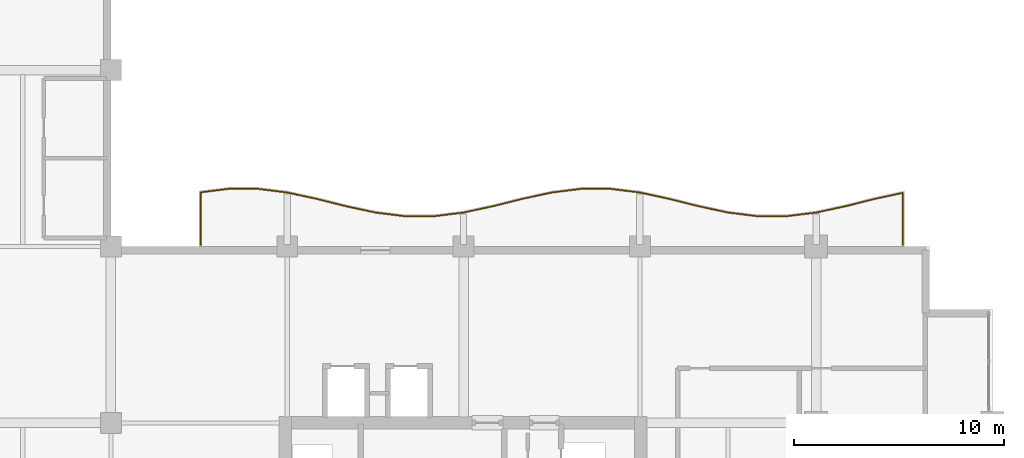
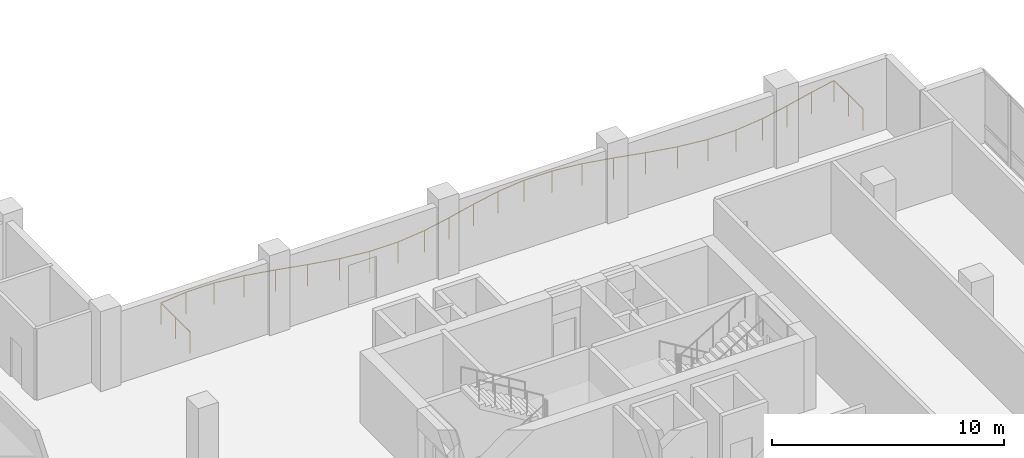
# One storey, part 21 of 21: 1 railing.
"""IFC4 building model written with IfcOpenShell, lengths in metres."""

from ifc_helpers import new_model, si_unit, direction, frame, origin, origin_2d, place, context, subcontext, project, spatial, circle, extrude, material, type_object, element, save


model = new_model("IFC4")

# Units and contexts
model_context = context("Model", 3, precision=1e-05, world=origin(), true_north=direction((0.0, 1.0)))
body_context = subcontext(model_context, "Body", "Model", "MODEL_VIEW")
ifc_project = project(units=[si_unit("LENGTHUNIT", "METRE"), si_unit("AREAUNIT", "SQUARE_METRE"), si_unit("VOLUMEUNIT", "CUBIC_METRE"), si_unit("PLANEANGLEUNIT", "RADIAN"), si_unit("MASSUNIT", "GRAM", prefix="KILO")], contexts=[model_context])

# Site, building, storey
site_placement = place(None, origin())
site = spatial("IfcSite", under=ifc_project, at=site_placement, CompositionType="ELEMENT")
building_placement = place(site_placement, origin())
building = spatial("IfcBuilding", under=site, at=building_placement, Name="Koriwani Terraces Tower", CompositionType="ELEMENT")
storey_placement = place(building_placement, frame((0.0, 0.0, 224.0)))
storey = spatial("IfcBuildingStorey", under=building, at=storey_placement, Name="L55", CompositionType="ELEMENT", Elevation=224.0)

# Railing
ifc_material = material(Name="Steel ASTM A572 Grade 50", Category="steel")
railing_type = type_object("IfcRailingType", Name="GUARD_BALUSTRADE_1150", PredefinedType="BALUSTRADE", material=ifc_material)
railing_placement = place(storey_placement, frame((71.320068359375, 33.679931640625, 0.0)))
element("IfcRailing", 1, at=railing_placement, inside=storey, type_object=railing_type, Name="L55 Balcony Perimeter Safety Balustrade (NE)", PredefinedType="BALUSTRADE", context=body_context, shape_type="SweptSolid", body=[
    extrude(circle(Radius=0.02392578125, at=origin_2d()), frame((0.0, 0.0, 1.1259765625), z_axis=(0.0, 1.0, 0.0), x_axis=(-1.0, 0.0, 0.0)), (0.0, 0.0, 1.0), 2.473388671875),
    extrude(circle(Radius=0.02392578125, at=origin_2d()), frame((0.0, 2.473388671875, 1.1259765625), z_axis=(-0.977417234878, -0.211318595877, 0.0), x_axis=(0.211318595877, -0.977417234878, 0.0)), (0.0, 0.0, 1.0), 1.33203125),
    extrude(circle(Radius=0.02392578125, at=origin_2d()), frame((-1.302001953125, 2.19189453125, 1.1259765625), z_axis=(-0.970241952903, -0.242137466795, 0.0), x_axis=(0.242137466795, -0.970241952903, 0.0)), (0.0, 0.0, 1.0), 1.44287109375),
    extrude(circle(Radius=0.02392578125, at=origin_2d()), frame((-2.701904296875, 1.842529296875, 1.1259765625), z_axis=(-0.977453031353, -0.21115295759, 0.0), x_axis=(0.21115295759, -0.977453031353, 0.0)), (0.0, 0.0, 1.0), 1.437255859375),
    extrude(circle(Radius=0.02392578125, at=origin_2d()), frame((-4.106689453125, 1.5390625, 1.1259765625), z_axis=(-0.992301674614, -0.12384420276, 0.0), x_axis=(0.12384420276, -0.992301674614, 0.0)), (0.0, 0.0, 1.0), 1.41943359375),
    extrude(circle(Radius=0.02392578125, at=origin_2d()), frame((-5.51513671875, 1.36328125, 1.1259765625), z_axis=(-1.0, 0.0, 0.0), x_axis=(0.0, -1.0, 0.0)), (0.0, 0.0, 1.0), 1.409912109375),
    extrude(circle(Radius=0.02392578125, at=origin_2d()), frame((-6.925048828125, 1.36328125, 1.1259765625), z_axis=(-0.992301674614, 0.12384420276, 0.0), x_axis=(-0.12384420276, -0.992301674614, 0.0)), (0.0, 0.0, 1.0), 1.41943359375),
    extrude(circle(Radius=0.02392578125, at=origin_2d()), frame((-8.33349609375, 1.5390625, 1.1259765625), z_axis=(-0.977453031353, 0.21115295759, 0.0), x_axis=(-0.21115295759, -0.977453031353, 0.0)), (0.0, 0.0, 1.0), 1.437255859375),
    extrude(circle(Radius=0.02392578125, at=origin_2d()), frame((-9.73828125, 1.842529296875, 1.1259765625), z_axis=(-0.970241952903, 0.242137466795, 0.0), x_axis=(-0.242137466795, -0.970241952903, 0.0)), (0.0, 0.0, 1.0), 1.44287109375),
    extrude(circle(Radius=0.02392578125, at=origin_2d()), frame((-11.13818359375, 2.19189453125, 1.1259765625), z_axis=(-0.977438029446, 0.211222391315, 0.0), x_axis=(-0.211222391315, -0.977438029446, 0.0)), (0.0, 0.0, 1.0), 1.427490234375),
    extrude(circle(Radius=0.02392578125, at=origin_2d()), frame((-12.533447265625, 2.493408203125, 1.1259765625), z_axis=(-0.992309982997, 0.123777613669, 0.0), x_axis=(-0.123777613669, -0.992309982997, 0.0)), (0.0, 0.0, 1.0), 1.40234375),
    extrude(circle(Radius=0.02392578125, at=origin_2d()), frame((-13.925048828125, 2.6669921875, 1.1259765625), z_axis=(-1.0, 0.0, 0.0), x_axis=(0.0, -1.0, 0.0)), (0.0, 0.0, 1.0), 1.39013671875),
    extrude(circle(Radius=0.02392578125, at=origin_2d()), frame((-15.315185546875, 2.6669921875, 1.1259765625), z_axis=(-0.992309982997, -0.123777613669, 0.0), x_axis=(0.123777613669, -0.992309982997, 0.0)), (0.0, 0.0, 1.0), 1.40234375),
    extrude(circle(Radius=0.02392578125, at=origin_2d()), frame((-16.706787109375, 2.493408203125, 1.1259765625), z_axis=(-0.977438029446, -0.211222391315, 0.0), x_axis=(0.211222391315, -0.977438029446, 0.0)), (0.0, 0.0, 1.0), 1.427490234375),
    extrude(circle(Radius=0.02392578125, at=origin_2d()), frame((-18.10205078125, 2.19189453125, 1.1259765625), z_axis=(-0.970241952903, -0.242137466795, 0.0), x_axis=(0.242137466795, -0.970241952903, 0.0)), (0.0, 0.0, 1.0), 1.44287109375),
    extrude(circle(Radius=0.02392578125, at=origin_2d()), frame((-19.501953125, 1.842529296875, 1.1259765625), z_axis=(-0.977453031353, -0.21115295759, 0.0), x_axis=(0.21115295759, -0.977453031353, 0.0)), (0.0, 0.0, 1.0), 1.437255859375),
    extrude(circle(Radius=0.02392578125, at=origin_2d()), frame((-20.90673828125, 1.5390625, 1.1259765625), z_axis=(-0.992301674614, -0.12384420276, 0.0), x_axis=(0.12384420276, -0.992301674614, 0.0)), (0.0, 0.0, 1.0), 1.41943359375),
    extrude(circle(Radius=0.02392578125, at=origin_2d()), frame((-22.315185546875, 1.36328125, 1.1259765625), z_axis=(-1.0, 0.0, 0.0), x_axis=(0.0, -1.0, 0.0)), (0.0, 0.0, 1.0), 1.409912109375),
    extrude(circle(Radius=0.02392578125, at=origin_2d()), frame((-23.72509765625, 1.36328125, 1.1259765625), z_axis=(-0.992301674614, 0.12384420276, 0.0), x_axis=(-0.12384420276, -0.992301674614, 0.0)), (0.0, 0.0, 1.0), 1.41943359375),
    extrude(circle(Radius=0.02392578125, at=origin_2d()), frame((-25.133544921875, 1.5390625, 1.1259765625), z_axis=(-0.977445455552, 0.211188023857, 0.0), x_axis=(-0.211188023857, -0.977445455552, 0.0)), (0.0, 0.0, 1.0), 1.43701171875),
    extrude(circle(Radius=0.02392578125, at=origin_2d()), frame((-26.5380859375, 1.842529296875, 1.1259765625), z_axis=(-0.970251871253, 0.242097720621, 0.0), x_axis=(-0.242097720621, -0.970251871253, 0.0)), (0.0, 0.0, 1.0), 1.443115234375),
    extrude(circle(Radius=0.02392578125, at=origin_2d()), frame((-27.938232421875, 2.19189453125, 1.1259765625), z_axis=(-0.977438029446, 0.211222391315, 0.0), x_axis=(-0.211222391315, -0.977438029446, 0.0)), (0.0, 0.0, 1.0), 1.427490234375),
    extrude(circle(Radius=0.02392578125, at=origin_2d()), frame((-29.33349609375, 2.493408203125, 1.1259765625), z_axis=(-0.992309982997, 0.123777613669, 0.0), x_axis=(-0.123777613669, -0.992309982997, 0.0)), (0.0, 0.0, 1.0), 1.40234375),
    extrude(circle(Radius=0.02392578125, at=origin_2d()), frame((-30.72509765625, 2.6669921875, 1.1259765625), z_axis=(-1.0, 0.0, 0.0), x_axis=(0.0, -1.0, 0.0)), (0.0, 0.0, 1.0), 1.389892578125),
    extrude(circle(Radius=0.02392578125, at=origin_2d()), frame((-32.114990234375, 2.6669921875, 1.1259765625), z_axis=(-0.992311590161, -0.123764728544, 0.0), x_axis=(0.123764728544, -0.992311590161, 0.0)), (0.0, 0.0, 1.0), 1.33544921875),
    extrude(circle(Radius=0.02392578125, at=origin_2d()), frame((-33.440185546875, 2.501708984375, 1.1259765625), z_axis=(0.0, -1.0, 0.0), x_axis=(1.0, 0.0, 0.0)), (0.0, 0.0, 1.0), 2.501708984375),
    extrude(circle(Radius=0.02099609375, at=origin_2d()), origin(), (0.0, 0.0, 1.0), 1.101806640625),
    extrude(circle(Radius=0.02099609375, at=origin_2d()), frame((0.0, 1.23681640625, 0.0)), (0.0, 0.0, 1.0), 1.101806640625),
    extrude(circle(Radius=0.02099609375, at=origin_2d()), frame((0.0, 2.473388671875, 0.0)), (0.0, 0.0, 1.0), 1.101806640625),
    extrude(circle(Radius=0.02099609375, at=origin_2d()), frame((-1.302001953125, 2.19189453125, 0.0)), (0.0, 0.0, 1.0), 1.101806640625),
    extrude(circle(Radius=0.02099609375, at=origin_2d()), frame((-2.701904296875, 1.842529296875, 0.0)), (0.0, 0.0, 1.0), 1.101806640625),
    extrude(circle(Radius=0.02099609375, at=origin_2d()), frame((-4.106689453125, 1.5390625, 0.0)), (0.0, 0.0, 1.0), 1.101806640625),
    extrude(circle(Radius=0.02099609375, at=origin_2d()), frame((-5.51513671875, 1.36328125, 0.0)), (0.0, 0.0, 1.0), 1.101806640625),
    extrude(circle(Radius=0.02099609375, at=origin_2d()), frame((-6.925048828125, 1.36328125, 0.0)), (0.0, 0.0, 1.0), 1.101806640625),
    extrude(circle(Radius=0.02099609375, at=origin_2d()), frame((-8.33349609375, 1.5390625, 0.0)), (0.0, 0.0, 1.0), 1.101806640625),
    extrude(circle(Radius=0.02099609375, at=origin_2d()), frame((-9.73828125, 1.842529296875, 0.0)), (0.0, 0.0, 1.0), 1.101806640625),
    extrude(circle(Radius=0.02099609375, at=origin_2d()), frame((-11.13818359375, 2.19189453125, 0.0)), (0.0, 0.0, 1.0), 1.101806640625),
    extrude(circle(Radius=0.02099609375, at=origin_2d()), frame((-12.533447265625, 2.493408203125, 0.0)), (0.0, 0.0, 1.0), 1.101806640625),
    extrude(circle(Radius=0.02099609375, at=origin_2d()), frame((-13.925048828125, 2.6669921875, 0.0)), (0.0, 0.0, 1.0), 1.101806640625),
    extrude(circle(Radius=0.02099609375, at=origin_2d()), frame((-15.315185546875, 2.6669921875, 0.0)), (0.0, 0.0, 1.0), 1.101806640625),
    extrude(circle(Radius=0.02099609375, at=origin_2d()), frame((-16.706787109375, 2.493408203125, 0.0)), (0.0, 0.0, 1.0), 1.101806640625),
    extrude(circle(Radius=0.02099609375, at=origin_2d()), frame((-18.10205078125, 2.19189453125, 0.0)), (0.0, 0.0, 1.0), 1.101806640625),
    extrude(circle(Radius=0.02099609375, at=origin_2d()), frame((-19.501953125, 1.842529296875, 0.0)), (0.0, 0.0, 1.0), 1.101806640625),
    extrude(circle(Radius=0.02099609375, at=origin_2d()), frame((-20.90673828125, 1.5390625, 0.0)), (0.0, 0.0, 1.0), 1.101806640625),
    extrude(circle(Radius=0.02099609375, at=origin_2d()), frame((-22.315185546875, 1.36328125, 0.0)), (0.0, 0.0, 1.0), 1.101806640625),
    extrude(circle(Radius=0.02099609375, at=origin_2d()), frame((-23.72509765625, 1.36328125, 0.0)), (0.0, 0.0, 1.0), 1.101806640625),
    extrude(circle(Radius=0.02099609375, at=origin_2d()), frame((-25.133544921875, 1.5390625, 0.0)), (0.0, 0.0, 1.0), 1.101806640625),
    extrude(circle(Radius=0.02099609375, at=origin_2d()), frame((-26.5380859375, 1.842529296875, 0.0)), (0.0, 0.0, 1.0), 1.101806640625),
    extrude(circle(Radius=0.02099609375, at=origin_2d()), frame((-27.938232421875, 2.19189453125, 0.0)), (0.0, 0.0, 1.0), 1.101806640625),
    extrude(circle(Radius=0.02099609375, at=origin_2d()), frame((-29.33349609375, 2.493408203125, 0.0)), (0.0, 0.0, 1.0), 1.101806640625),
    extrude(circle(Radius=0.02099609375, at=origin_2d()), frame((-30.72509765625, 2.6669921875, 0.0)), (0.0, 0.0, 1.0), 1.101806640625),
    extrude(circle(Radius=0.02099609375, at=origin_2d()), frame((-32.114990234375, 2.6669921875, 0.0)), (0.0, 0.0, 1.0), 1.101806640625),
    extrude(circle(Radius=0.02099609375, at=origin_2d()), frame((-33.440185546875, 2.501708984375, 0.0)), (0.0, 0.0, 1.0), 1.101806640625),
    extrude(circle(Radius=0.02099609375, at=origin_2d()), frame((-33.440185546875, 1.2509765625, 0.0)), (0.0, 0.0, 1.0), 1.101806640625),
    extrude(circle(Radius=0.02099609375, at=origin_2d()), frame((-33.440185546875, 0.0, 0.0)), (0.0, 0.0, 1.0), 1.101806640625),
])

save(model, "model.ifc")
